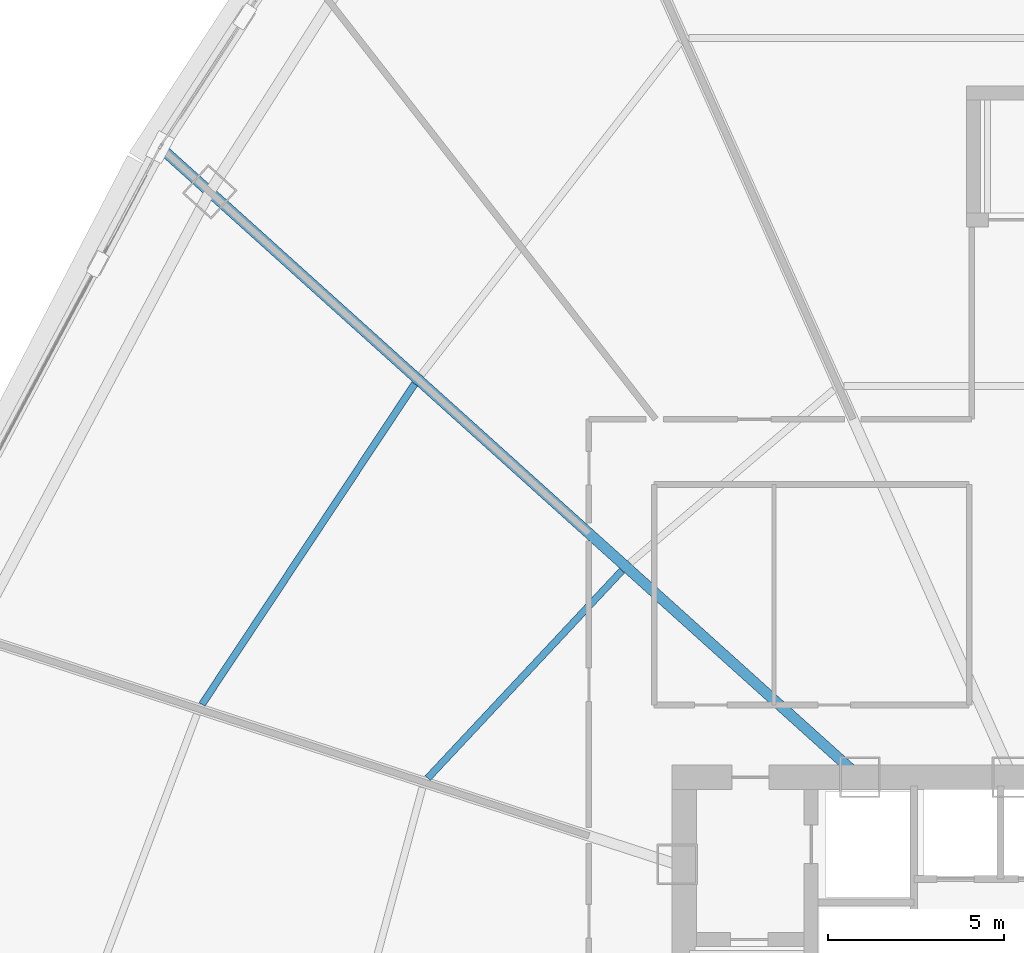
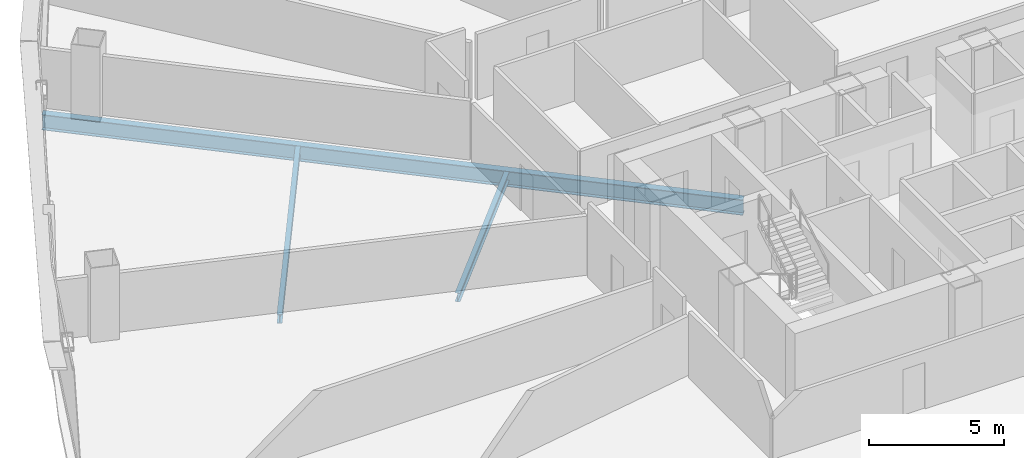
# One storey, part 14 of 38: 3 beams.
"""IFC4 building model written with IfcOpenShell, lengths in metres."""

from ifc_helpers import new_model, si_unit, direction, frame, origin, origin_2d, place, context, subcontext, project, spatial, i_section, extrude, source, transform, mapped, material, material_profile, profile_set, type_object, element, save


model = new_model("IFC4")

# Units and contexts
model_context = context("Model", 3, precision=1e-05, world=origin(), true_north=direction((0.0, 1.0)))
body_context = subcontext(model_context, "Body", "Model", "MODEL_VIEW")
ifc_project = project(units=[si_unit("LENGTHUNIT", "METRE"), si_unit("AREAUNIT", "SQUARE_METRE"), si_unit("VOLUMEUNIT", "CUBIC_METRE"), si_unit("PLANEANGLEUNIT", "RADIAN"), si_unit("MASSUNIT", "GRAM", prefix="KILO"), si_unit("THERMODYNAMICTEMPERATUREUNIT", "KELVIN"), si_unit("POWERUNIT", "WATT")], contexts=[model_context])

# Site, building, storey
site_placement = place(None, origin())
site = spatial("IfcSite", under=ifc_project, at=site_placement, CompositionType="ELEMENT")
building_placement = place(site_placement, origin())
building = spatial("IfcBuilding", under=site, at=building_placement, Name="Yunzhuo Pagoda Commons", CompositionType="ELEMENT")
storey_placement = place(building_placement, frame((0.0, 0.0, 34.030029296875)))
storey = spatial("IfcBuildingStorey", under=building, at=storey_placement, Name="L08", CompositionType="ELEMENT", Elevation=34.030029296875)

# Beams
ifc_material = material(Name="Structural steel Q355B", Category="steel")
ifc_material_profile_1 = material_profile(ifc_material, i_section(OverallWidth=0.300048828125, OverallDepth=0.699951171875, WebThickness=0.012939453125, FlangeThickness=0.02392578125, at=origin_2d()), Name="Structural steel Q355B")
ifc_profile_set_1 = profile_set([ifc_material_profile_1], Name="Structural steel Q355B")
beam_type_1 = type_object("IfcBeamType", Name="B-RG1 Beam HN 700x300x13x24", PredefinedType="BEAM", material=ifc_profile_set_1)
shared_shape_1 = source(origin(), body_context, "Body", "SweptSolid", [
    extrude(i_section(OverallWidth=0.300048828125, OverallDepth=0.699951171875, WebThickness=0.012939453125, FlangeThickness=0.02392578125, at=origin_2d()), origin(), (0.0, 0.0, 1.0), 26.538818359375),
])
beam_1_placement = place(storey_placement, frame((21.058837890625, 57.9580078125, -0.610107421875), z_axis=(0.743142261506, -0.669133453927, 0.0), x_axis=(0.669133453927, 0.743142261506, 0.0)))
element("IfcBeam", 1, at=beam_1_placement, inside=storey, type_object=beam_type_1, Name="L08 radial floor girder F3C2", PredefinedType="BEAM", context=body_context, shape_type="MappedRepresentation", body=[
    mapped(shared_shape_1, transform((0.0, 0.0, 0.0), scale=1.0)),
])
ifc_material_profile_2 = material_profile(ifc_material, i_section(OverallWidth=0.199951171875, OverallDepth=0.39990234375, WebThickness=0.008056640625, FlangeThickness=0.012939453125, at=origin_2d()), Name="Structural steel Q355B")
ifc_profile_set_2 = profile_set([ifc_material_profile_2], Name="Structural steel Q355B")
beam_type_2 = type_object("IfcBeamType", Name="B-JS1 Joist HN 400x200x8x13", PredefinedType="JOIST", material=ifc_profile_set_2)
shared_shape_2 = source(origin(), body_context, "Body", "SweptSolid", [
    extrude(i_section(OverallWidth=0.199951171875, OverallDepth=0.39990234375, WebThickness=0.008056640625, FlangeThickness=0.012939453125, at=origin_2d()), origin(), (0.0, 0.0, 1.0), 8.055908203125),
])
beam_2_placement = place(storey_placement, frame((34.03759765625, 46.057861328125, -0.4599609375), z_axis=(-0.683432879027, -0.730013355949, 0.0), x_axis=(0.730013355949, -0.683432879027, 0.0)))
element("IfcBeam", 2, at=beam_2_placement, inside=storey, type_object=beam_type_2, Name="L08 composite ring joist 1.10", PredefinedType="JOIST", context=body_context, shape_type="MappedRepresentation", body=[
    mapped(shared_shape_2, transform((0.0, 0.0, 0.0), scale=1.0)),
])
shared_shape_3 = source(origin(), body_context, "Body", "SweptSolid", [
    extrude(i_section(OverallWidth=0.199951171875, OverallDepth=0.39990234375, WebThickness=0.008056640625, FlangeThickness=0.012939453125, at=origin_2d()), origin(), (0.0, 0.0, 1.0), 10.904052734375),
])
beam_3_placement = place(storey_placement, frame((28.160888671875, 51.351806640625, -0.4599609375), z_axis=(-0.552916349928, -0.833236767061, 0.0), x_axis=(0.833236767061, -0.552916349928, 0.0)))
element("IfcBeam", 3, at=beam_3_placement, inside=storey, type_object=beam_type_2, Name="L08 composite ring joist 2.10", PredefinedType="JOIST", context=body_context, shape_type="MappedRepresentation", body=[
    mapped(shared_shape_3, transform((0.0, 0.0, 0.0), scale=1.0)),
])

save(model, "model.ifc")
